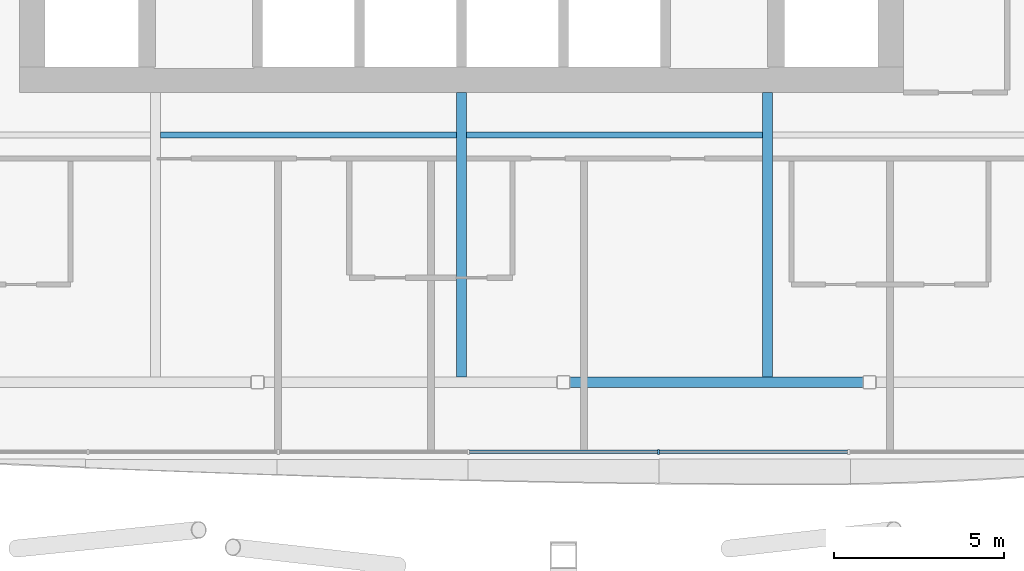
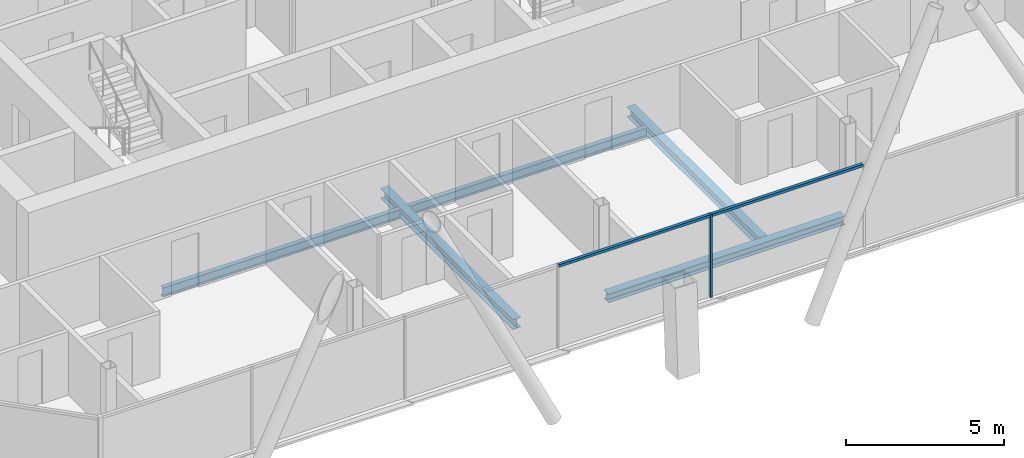
# One storey, part 4 of 23: 5 beams, 3 members, 1 element without a shape of its own.
"""IFC4 building model written with IfcOpenShell, lengths in metres."""

from ifc_helpers import new_model, si_unit, direction, frame, origin, origin_2d, place, context, subcontext, project, spatial, rectangle, i_section, extrude, material, material_profile, profile_set, type_object, element, aggregate, save


model = new_model("IFC4")

# Units and contexts
model_context = context("Model", 3, precision=1e-05, world=origin(), true_north=direction((0.0, 1.0)))
body_context = subcontext(model_context, "Body", "Model", "MODEL_VIEW")
ifc_project = project(units=[si_unit("LENGTHUNIT", "METRE"), si_unit("AREAUNIT", "SQUARE_METRE"), si_unit("VOLUMEUNIT", "CUBIC_METRE"), si_unit("PLANEANGLEUNIT", "RADIAN"), si_unit("MASSUNIT", "GRAM", prefix="KILO")], contexts=[model_context])

# Site, building, storey
site_placement = place(None, origin())
site = spatial("IfcSite", under=ifc_project, at=site_placement, CompositionType="ELEMENT")
building_placement = place(site_placement, origin())
building = spatial("IfcBuilding", under=site, at=building_placement, Name="Tskaro Facet Tower", CompositionType="ELEMENT")
storey_placement = place(building_placement, frame((0.0, 0.0, 131.699951171875)))
storey = spatial("IfcBuildingStorey", under=building, at=storey_placement, Name="L31", CompositionType="ELEMENT", Elevation=131.699951171875)

# Curtain wall, members
ifc_material_1 = material(Name="Bronze anodised aluminium 6063-T6", Category="aluminium")
curtain_wall_type = type_object("IfcCurtainWallType", Name="Bronze hotel curtain wall (FW2)", PredefinedType="NOTDEFINED", material=ifc_material_1)
curtain_wall_placement = place(storey_placement, origin())
curtain_wall = element("IfcCurtainWall", 1, at=curtain_wall_placement, inside=storey, type_object=curtain_wall_type, Name="FW2 south facet L31", PredefinedType="NOTDEFINED")
ifc_material_profile_1 = material_profile(ifc_material_1, rectangle(XDim=0.06005859375, YDim=0.14990234375, at=origin_2d()), Name="Mullion 60x150")
ifc_profile_set_1 = profile_set([ifc_material_profile_1], Name="Bronze anodised aluminium 6063-T6")
member_type_1 = type_object("IfcMemberType", Name="FW2 bronze mullion 60x150", PredefinedType="MULLION", material=ifc_profile_set_1)
member_1_placement = place(storey_placement, frame((5.79638671875, -22.820068359375, 0.0), z_axis=(0.0, 0.0, 1.0), x_axis=(1.0, 0.0, 0.0)))
member_1 = element("IfcMember", 2, at=member_1_placement, type_object=member_type_1, Name="FW2 south mullion 4", PredefinedType="MULLION", context=body_context, shape_type="SweptSolid", body=[
    extrude(rectangle(XDim=0.06005859375, YDim=0.14990234375, at=origin_2d()), origin(), (0.0, 0.0, 1.0), 3.199951171875),
])
ifc_material_profile_2 = material_profile(ifc_material_1, rectangle(XDim=0.110107421875, YDim=0.10009765625, at=origin_2d()), Name="Transom 110x100")
ifc_profile_set_2 = profile_set([ifc_material_profile_2], Name="Bronze anodised aluminium 6063-T6")
member_type_2 = type_object("IfcMemberType", Name="FW2 bronze transom 110x100", PredefinedType="USERDEFINED", material=ifc_profile_set_2)
member_2_placement = place(storey_placement, frame((0.233642578125, -22.820068359375, 3.150146484375), z_axis=(1.0, 0.0, 0.0), x_axis=(0.0, 1.0, 0.0)))
member_2 = element("IfcMember", 3, at=member_2_placement, type_object=member_type_2, Name="FW2 south transom 4.1", ObjectType="TRANSOM", PredefinedType="USERDEFINED", context=body_context, shape_type="SweptSolid", body=[
    extrude(rectangle(XDim=0.110107421875, YDim=0.10009765625, at=origin_2d()), origin(), (0.0, 0.0, 1.0), 5.53271484375),
])
member_3_placement = place(storey_placement, frame((5.826171875, -22.820068359375, 3.150146484375), z_axis=(1.0, 0.0, 0.0), x_axis=(0.0, 1.0, 0.0)))
member_3 = element("IfcMember", 4, at=member_3_placement, type_object=member_type_2, Name="FW2 south transom 5.1", ObjectType="TRANSOM", PredefinedType="USERDEFINED", context=body_context, shape_type="SweptSolid", body=[
    extrude(rectangle(XDim=0.110107421875, YDim=0.10009765625, at=origin_2d()), origin(), (0.0, 0.0, 1.0), 5.53271484375),
])
aggregate(curtain_wall, [member_1, member_2, member_3])

# Beams
ifc_material_2 = material(Name="Steel S355J2", Category="steel")
ifc_material_profile_3 = material_profile(ifc_material_2, i_section(OverallWidth=0.300048828125, OverallDepth=0.340087890625, WebThickness=0.011962890625, FlangeThickness=0.021484375, FilletRadius=0.027099609375, at=origin_2d()), Name="HE 340 B")
ifc_profile_set_3 = profile_set([ifc_material_profile_3], Name="Steel S355J2")
beam_type_1 = type_object("IfcBeamType", Name="HE 340 B ring beam", PredefinedType="BEAM", material=ifc_profile_set_3)
beam_placement = place(storey_placement, frame((3.179931640625, -20.77392578125, -0.31005859375), z_axis=(1.0, 0.0, 0.0), x_axis=(0.0, 1.0, 0.0)))
element("IfcBeam", 5, at=beam_placement, inside=storey, type_object=beam_type_1, Name="HE 340 B EB3-3", PredefinedType="BEAM", context=body_context, shape_type="SweptSolid", body=[
    extrude(i_section(OverallWidth=0.300048828125, OverallDepth=0.340087890625, WebThickness=0.011962890625, FlangeThickness=0.021484375, FilletRadius=0.027099609375, at=origin_2d()), origin(), (0.0, 0.0, 1.0), 8.64013671875),
])
ifc_material_profile_4 = material_profile(ifc_material_2, i_section(OverallWidth=0.300048828125, OverallDepth=0.389892578125, WebThickness=0.010986328125, FlangeThickness=0.01904296875, FilletRadius=0.027099609375, at=origin_2d()), Name="HE 400 A")
ifc_profile_set_4 = profile_set([ifc_material_profile_4], Name="Steel S355J2")
beam_type_2 = type_object("IfcBeamType", Name="HE 400 A girder", PredefinedType="BEAM", material=ifc_profile_set_4)
for number, where, z_axis, x_axis, name in (
    (6, (0.0, -20.6240234375, -0.3349609375), (0.0, 1.0, 0.0), (-1.0, 0.0, 0.0), "HE 400 A GB4-1-3"),
    (7, (9.0, -20.6240234375, -0.3349609375), (0.0, 1.0, 0.0), (-1.0, 0.0, 0.0), "HE 400 A GB5-1-3"),
):
    element("IfcBeam", number, at=place(storey_placement, frame(where, z_axis=z_axis, x_axis=x_axis)), inside=storey, type_object=beam_type_2, Name=name, PredefinedType="BEAM", context=body_context, shape_type="SweptSolid", body=[
        extrude(i_section(OverallWidth=0.300048828125, OverallDepth=0.389892578125, WebThickness=0.010986328125, FlangeThickness=0.01904296875, FilletRadius=0.027099609375, at=origin_2d()), origin(), (0.0, 0.0, 1.0), 8.3740234375),
    ])
ifc_material_profile_5 = material_profile(ifc_material_2, i_section(OverallWidth=0.169921875, OverallDepth=0.360107421875, WebThickness=0.008056640625, FlangeThickness=0.0126953125, FilletRadius=0.01806640625, at=origin_2d()), Name="IPE 360")
ifc_profile_set_5 = profile_set([ifc_material_profile_5], Name="Steel S355J2")
beam_type_3 = type_object("IfcBeamType", Name="IPE 360 secondary beam", PredefinedType="BEAM", material=ifc_profile_set_5)
for number, where, z_axis, x_axis, name in (
    (8, (-8.85009765625, -13.5, -0.320068359375), (1.0, 0.0, 0.0), (0.0, 1.0, 0.0), "IPE 360 SB2a-2-3"),
    (9, (0.14990234375, -13.5, -0.320068359375), (1.0, 0.0, 0.0), (0.0, 1.0, 0.0), "IPE 360 SB2a-3-3"),
):
    element("IfcBeam", number, at=place(storey_placement, frame(where, z_axis=z_axis, x_axis=x_axis)), inside=storey, type_object=beam_type_3, Name=name, PredefinedType="BEAM", context=body_context, shape_type="SweptSolid", body=[
        extrude(i_section(OverallWidth=0.169921875, OverallDepth=0.360107421875, WebThickness=0.008056640625, FlangeThickness=0.0126953125, FilletRadius=0.01806640625, at=origin_2d()), origin(), (0.0, 0.0, 1.0), 8.7001953125),
    ])

save(model, "model.ifc")
